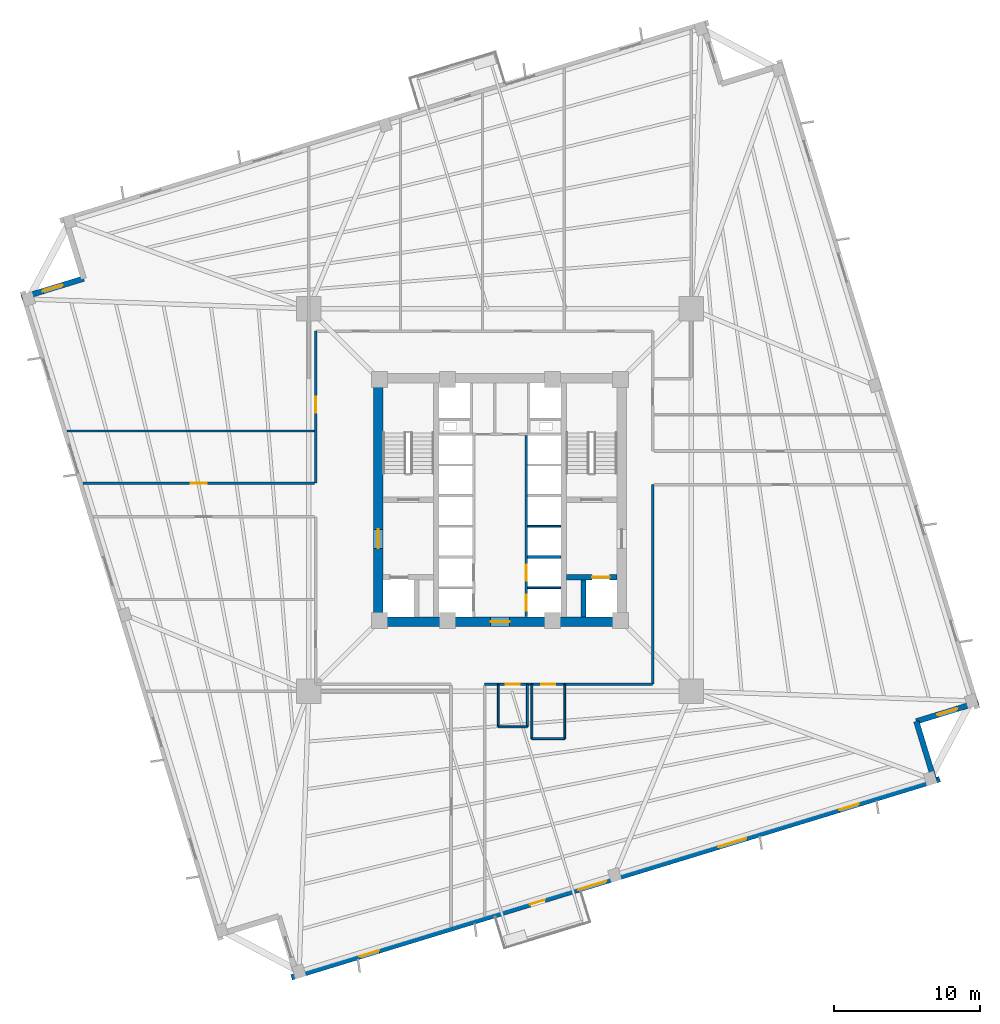
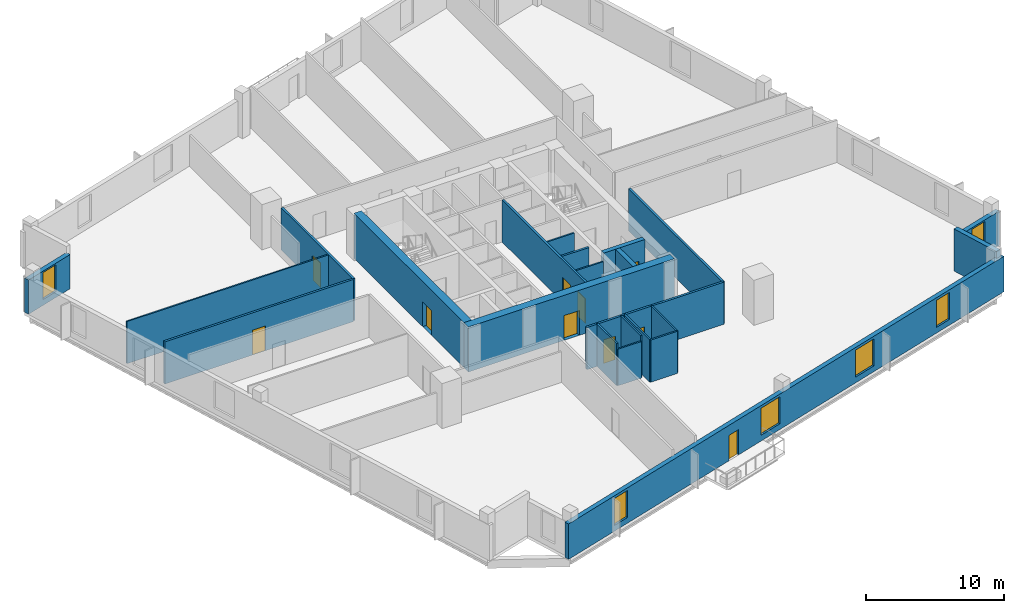
# One storey, part 3 of 8: 23 walls, 10 doors, 6 windows, 16 openings.
"""IFC4 building model written with IfcOpenShell, lengths in metres."""

from ifc_helpers import new_model, si_unit, direction, frame, frame_2d, origin, place, context, subcontext, project, spatial, rectangle, extrude, source, transform, mapped, material, layer, layer_set, type_object, element, fill, save


model = new_model("IFC4")

# Units and contexts
model_context = context("Model", 3, precision=1e-05, world=origin(), true_north=direction((0.0, 1.0)))
body_context = subcontext(model_context, "Body", "Model", "MODEL_VIEW")
ifc_project = project(units=[si_unit("LENGTHUNIT", "METRE"), si_unit("AREAUNIT", "SQUARE_METRE"), si_unit("VOLUMEUNIT", "CUBIC_METRE"), si_unit("PLANEANGLEUNIT", "RADIAN"), si_unit("MASSUNIT", "GRAM", prefix="KILO"), si_unit("THERMODYNAMICTEMPERATUREUNIT", "KELVIN")], contexts=[model_context])

# Site, building, storey
site_placement = place(None, origin())
site = spatial("IfcSite", under=ifc_project, at=site_placement, CompositionType="ELEMENT")
building_placement = place(site_placement, origin())
building = spatial("IfcBuilding", under=site, at=building_placement, Name="Kosmvard Interchange Tower", CompositionType="ELEMENT")
storey_placement = place(building_placement, frame((0.0, 0.0, 91.199951171875)))
storey = spatial("IfcBuildingStorey", under=building, at=storey_placement, Name="L21", CompositionType="ELEMENT", Elevation=91.199951171875)

# Wall, openings, doors
ifc_material_1 = material(Name="Fire-rated gypsum partition system")
ifc_layer_1 = layer(ifc_material_1, 0.179931640625, Name="Fire-rated gypsum partition system")
ifc_layer_set_1 = layer_set([ifc_layer_1], Name="Fire-rated gypsum partition system")
wall_type_1 = type_object("IfcWallType", Name="Corridor & Hotel Compartment Partition 180", PredefinedType="PARTITIONING", material=ifc_layer_set_1)
wall_1_placement = place(storey_placement, frame((1.7900390625, -7.97998046875, 0.0), z_axis=(0.0, 0.0, 1.0), x_axis=(0.0, 1.0, 0.0)))
wall_1 = element("IfcWall", 1, at=wall_1_placement, inside=storey, type_object=wall_type_1, Name="L21 East Lift Bank Front Wall", PredefinedType="PARTITIONING", context=body_context, shape_type="SweptSolid", body=[
    extrude(rectangle(XDim=12.3798828125, YDim=0.179931640625, at=frame_2d((6.18994140625, 0.0))), origin(), (0.0, 0.0, 1.0), 3.739990234375),
])
opening_1_placement = place(wall_1_placement, frame((0.39990234375, 0.0, 0.0)))
opening_1 = element("IfcOpeningElement", 2, at=opening_1_placement, cuts=wall_1, Name="Opening LD-PL-L3-L21", PredefinedType="OPENING", context=body_context, shape_type="SweptSolid", body=[
    extrude(rectangle(XDim=1.10009765625, YDim=2.199951171875, at=frame_2d((0.550048828125, 1.10009765625))), frame((0.0, 0.10009765625, 0.0), z_axis=(0.0, -1.0, 0.0), x_axis=(1.0, 0.0, 0.0)), (0.0, 0.0, 1.0), 0.199951171875),
])
opening_2_placement = place(wall_1_placement, frame((2.4599609375, 0.0, 0.0)))
opening_2 = element("IfcOpeningElement", 3, at=opening_2_placement, cuts=wall_1, Name="Opening LD-PL-L4-L21", PredefinedType="OPENING", context=body_context, shape_type="SweptSolid", body=[
    extrude(rectangle(XDim=1.10009765625, YDim=2.199951171875, at=frame_2d((0.550048828125, 1.10009765625))), frame((0.0, 0.10009765625, 0.0), z_axis=(0.0, -1.0, 0.0), x_axis=(1.0, 0.0, 0.0)), (0.0, 0.0, 1.0), 0.199951171875),
])
ifc_material_2 = material(Name="Brushed stainless steel sliding leaf", Category="steel")
door_type_1 = type_object("IfcDoorType", Name="Passenger Lift Sliding Landing Door 1100x2200 EI60", OperationType="DOUBLE_DOOR_SLIDING", PredefinedType="DOOR", material=ifc_material_2)
shared_shape_1 = source(origin(), body_context, "Body", "SweptSolid", [
    extrude(rectangle(XDim=1.10009765625, YDim=2.199951171875, at=frame_2d((0.550048828125, 1.10009765625))), frame((0.0, 0.02490234375, 0.0), z_axis=(0.0, -1.0, 0.0), x_axis=(1.0, 0.0, 0.0)), (0.0, 0.0, 1.0), 0.050048828125),
])
door_1_placement = place(opening_1_placement, origin())
door_1 = element("IfcDoor", 4, at=door_1_placement, inside=storey, type_object=door_type_1, Name="Lift PL-L3 Landing Door L21", OperationType="DOUBLE_DOOR_SLIDING", OverallHeight=2.199951171875, OverallWidth=1.10009765625, PredefinedType="DOOR", context=body_context, shape_type="MappedRepresentation", body=[
    mapped(shared_shape_1, transform((0.0, 0.0, 0.0), scale=1.0)),
])
fill(opening_1, door_1)
door_2_placement = place(opening_2_placement, origin())
door_2 = element("IfcDoor", 5, at=door_2_placement, inside=storey, type_object=door_type_1, Name="Lift PL-L4 Landing Door L21", OperationType="DOUBLE_DOOR_SLIDING", OverallHeight=2.199951171875, OverallWidth=1.10009765625, PredefinedType="DOOR", context=body_context, shape_type="MappedRepresentation", body=[
    mapped(shared_shape_1, transform((0.0, 0.0, 0.0), scale=1.0)),
])
fill(opening_2, door_2)

wall_2_placement = place(storey_placement, frame((-1.050048828125, -12.60009765625, 0.0), z_axis=(0.0, 0.0, 1.0), x_axis=(1.0, 0.0, 0.0)))
wall_2 = element("IfcWall", 6, at=wall_2_placement, inside=storey, type_object=wall_type_1, Name="L21 Corridor Wall CSE", PredefinedType="PARTITIONING", context=body_context, shape_type="SweptSolid", body=[
    extrude(rectangle(XDim=11.5, YDim=0.179931640625, at=frame_2d((5.75, 0.0))), origin(), (0.0, 0.0, 1.0), 3.739990234375),
])
opening_3_placement = place(wall_2_placement, frame((1.455078125, 0.0, 0.0)))
opening_3 = element("IfcOpeningElement", 7, at=opening_3_placement, cuts=wall_2, Name="Opening L21-D01", PredefinedType="OPENING", context=body_context, shape_type="SweptSolid", body=[
    extrude(rectangle(XDim=0.949951171875, YDim=2.10009765625, at=frame_2d((0.47509765625, 1.050048828125))), frame((0.0, 0.10009765625, 0.0), z_axis=(0.0, -1.0, 0.0), x_axis=(1.0, 0.0, 0.0)), (0.0, 0.0, 1.0), 0.199951171875),
])
opening_4_placement = place(wall_2_placement, frame((3.879150390625, 0.0, 0.0)))
opening_4 = element("IfcOpeningElement", 8, at=opening_4_placement, cuts=wall_2, Name="Opening L21-D02", PredefinedType="OPENING", context=body_context, shape_type="SweptSolid", body=[
    extrude(rectangle(XDim=0.949951171875, YDim=2.10009765625, at=frame_2d((0.47509765625, 1.050048828125))), frame((0.0, 0.10009765625, 0.0), z_axis=(0.0, -1.0, 0.0), x_axis=(1.0, 0.0, 0.0)), (0.0, 0.0, 1.0), 0.199951171875),
])
ifc_material_3 = material(Name="Laminated moisture-resistant timber", Category="wood")
door_type_2 = type_object("IfcDoorType", Name="Accessible Washroom Door 950x2100", OperationType="NOTDEFINED", PredefinedType="DOOR", material=ifc_material_3)
shared_shape_2 = source(origin(), body_context, "Body", "SweptSolid", [
    extrude(rectangle(XDim=0.949951171875, YDim=2.10009765625, at=frame_2d((0.47509765625, 1.050048828125))), frame((0.0, 0.02490234375, 0.0), z_axis=(0.0, -1.0, 0.0), x_axis=(1.0, 0.0, 0.0)), (0.0, 0.0, 1.0), 0.050048828125),
])
door_3_placement = place(opening_3_placement, frame((0.949951171875, 0.0, 0.0), z_axis=(0.0, 0.0, 1.0), x_axis=(-1.0, 0.0, 0.0)))
door_3 = element("IfcDoor", 9, at=door_3_placement, inside=storey, type_object=door_type_2, Name="L21 Accessible Toilet Door", OperationType="SINGLE_SWING_LEFT", OverallHeight=2.10009765625, OverallWidth=0.949951171875, PredefinedType="DOOR", context=body_context, shape_type="MappedRepresentation", body=[
    mapped(shared_shape_2, transform((0.0, 0.0, 0.0), scale=1.0)),
])
fill(opening_3, door_3)
door_4_placement = place(opening_4_placement, frame((0.949951171875, 0.0, 0.0), z_axis=(0.0, 0.0, 1.0), x_axis=(-1.0, 0.0, 0.0)))
door_4 = element("IfcDoor", 10, at=door_4_placement, inside=storey, type_object=door_type_2, Name="L21 Public Floor Washroom Door", OperationType="SINGLE_SWING_RIGHT", OverallHeight=2.10009765625, OverallWidth=0.949951171875, PredefinedType="DOOR", context=body_context, shape_type="MappedRepresentation", body=[
    mapped(shared_shape_2, transform((0.0, 0.0, 0.0), scale=1.0)),
])
fill(opening_4, door_4)

# Wall, opening, door
wall_3_placement = place(storey_placement, frame((-12.60009765625, 1.14990234375, 0.0), z_axis=(0.0, 0.0, 1.0), x_axis=(0.0, 1.0, 0.0)))
wall_3 = element("IfcWall", 11, at=wall_3_placement, inside=storey, type_object=wall_type_1, Name="L21 Corridor Wall CWN", PredefinedType="PARTITIONING", context=body_context, shape_type="SweptSolid", body=[
    extrude(rectangle(XDim=10.400146484375, YDim=0.179931640625, at=frame_2d((5.2001953125, 0.0))), origin(), (0.0, 0.0, 1.0), 3.739990234375),
])
opening_5_placement = place(wall_3_placement, frame((4.8125, 0.0, 0.0)))
opening_5 = element("IfcOpeningElement", 12, at=opening_5_placement, cuts=wall_3, Name="Opening L21-D04", PredefinedType="OPENING", context=body_context, shape_type="SweptSolid", body=[
    extrude(rectangle(XDim=1.10009765625, YDim=2.199951171875, at=frame_2d((0.550048828125, 1.10009765625))), frame((0.0, 0.10009765625, 0.0), z_axis=(0.0, -1.0, 0.0), x_axis=(1.0, 0.0, 0.0)), (0.0, 0.0, 1.0), 0.199951171875),
])
ifc_material_4 = material(Name="Engineered oak fire-rated timber", Category="wood")
door_type_3 = type_object("IfcDoorType", Name="Office Suite Entrance Door 1100x2200 FD30S", OperationType="NOTDEFINED", PredefinedType="DOOR", material=ifc_material_4)
door_5_placement = place(opening_5_placement, origin())
door_5 = element("IfcDoor", 13, at=door_5_placement, inside=storey, type_object=door_type_3, Name="L21 Corporate Office 2 Door", OperationType="SINGLE_SWING_RIGHT", OverallHeight=2.199951171875, OverallWidth=1.10009765625, PredefinedType="DOOR", context=body_context, shape_type="MappedRepresentation", body=[
    mapped(shared_shape_1, transform((0.0, 0.0, 0.0), scale=1.0)),
])
fill(opening_5, door_5)

# Wall
wall_4_placement = place(storey_placement, frame((10.449951171875, -12.60009765625, 0.0), z_axis=(0.0, 0.0, 1.0), x_axis=(0.0, 1.0, 0.0)))
element("IfcWall", 14, at=wall_4_placement, inside=storey, type_object=wall_type_1, Name="L21 Corridor Wall CES", PredefinedType="PARTITIONING", context=body_context, shape_type="SweptSolid", body=[
    extrude(rectangle(XDim=13.650146484375, YDim=0.179931640625, at=frame_2d((6.8251953125, 0.0))), origin(), (0.0, 0.0, 1.0), 3.739990234375),
])

# Wall, opening, door
wall_5_placement = place(storey_placement, frame((-28.517333984375, 1.14990234375, 0.0), z_axis=(0.0, 0.0, 1.0), x_axis=(1.0, 0.0, 0.0)))
wall_5 = element("IfcWall", 15, at=wall_5_placement, inside=storey, type_object=wall_type_1, Name="L21 Corridor Wall SWN", PredefinedType="PARTITIONING", context=body_context, shape_type="SweptSolid", body=[
    extrude(rectangle(XDim=15.8173828125, YDim=0.179931640625, at=frame_2d((7.90869140625, 0.0))), origin(), (0.0, 0.0, 1.0), 3.739990234375),
])
opening_6_placement = place(wall_5_placement, frame((7.358642578125, 0.0, 0.0)))
opening_6 = element("IfcOpeningElement", 16, at=opening_6_placement, cuts=wall_5, Name="Opening L21-D03", PredefinedType="OPENING", context=body_context, shape_type="SweptSolid", body=[
    extrude(rectangle(XDim=1.10009765625, YDim=2.199951171875, at=frame_2d((0.550048828125, 1.10009765625))), frame((0.0, 0.10009765625, 0.0), z_axis=(0.0, -1.0, 0.0), x_axis=(1.0, 0.0, 0.0)), (0.0, 0.0, 1.0), 0.199951171875),
])
door_6_placement = place(opening_6_placement, origin())
door_6 = element("IfcDoor", 17, at=door_6_placement, inside=storey, type_object=door_type_3, Name="L21 Corporate Office 1 Door", OperationType="SINGLE_SWING_LEFT", OverallHeight=2.199951171875, OverallWidth=1.10009765625, PredefinedType="DOOR", context=body_context, shape_type="MappedRepresentation", body=[
    mapped(shared_shape_1, transform((0.0, 0.0, 0.0), scale=1.0)),
])
fill(opening_6, door_6)

# Wall, openings, door, windows
ifc_material_5 = material(Name="Precast concrete C45/55", Category="concrete")
ifc_layer_2 = layer(ifc_material_5, 0.3798828125, Name="Precast concrete C45/55")
ifc_layer_set_2 = layer_set([ifc_layer_2], Name="Precast concrete C45/55")
wall_type_2 = type_object("IfcWallType", Name="Lower Tower Precast Pier Wall 380 C45/55", PredefinedType="STANDARD", material=ifc_layer_set_2)
wall_6_placement = place(storey_placement, frame((-14.26513671875, -32.65771484375, 0.0), z_axis=(0.0, 0.0, 1.0), x_axis=(0.956304320851, 0.292373127906, 0.0)))
wall_6 = element("IfcWall", 18, at=wall_6_placement, inside=storey, type_object=wall_type_2, Name="L21 Precast Facade Wall F-S", PredefinedType="STANDARD", context=body_context, shape_type="SweptSolid", body=[
    extrude(rectangle(XDim=46.380126953125, YDim=0.3798828125, at=frame_2d((23.18994140625, 0.0))), origin(), (0.0, 0.0, 1.0), 3.14013671875),
])
opening_7_placement = place(wall_6_placement, frame((17.06494140625, 0.0, 0.0)))
opening_7 = element("IfcOpeningElement", 19, at=opening_7_placement, cuts=wall_6, Name="Opening L21-BDS", PredefinedType="OPENING", context=body_context, shape_type="SweptSolid", body=[
    extrude(rectangle(XDim=1.050048828125, YDim=2.25, at=frame_2d((0.52490234375, 1.125))), frame((0.0, 0.199951171875, 0.0), z_axis=(0.0, -1.0, 0.0), x_axis=(1.0, 0.0, 0.0)), (0.0, 0.0, 1.0), 0.39990234375),
])
opening_8_placement = place(wall_6_placement, frame((4.865478515625, 0.0, 0.510009765625)))
opening_8 = element("IfcOpeningElement", 20, at=opening_8_placement, cuts=wall_6, Name="Opening L21-W01", PredefinedType="OPENING", context=body_context, shape_type="SweptSolid", body=[
    extrude(rectangle(XDim=1.39990234375, YDim=2.39990234375, at=frame_2d((0.699951171875, 1.199951171875))), frame((0.0, 0.199951171875, 0.0), z_axis=(0.0, -1.0, 0.0), x_axis=(1.0, 0.0, 0.0)), (0.0, 0.0, 1.0), 0.39990234375),
])
opening_9_placement = place(wall_6_placement, frame((20.512451171875, 0.0, 0.510009765625)))
opening_9 = element("IfcOpeningElement", 21, at=opening_9_placement, cuts=wall_6, Name="Opening L21-W02", PredefinedType="OPENING", context=body_context, shape_type="SweptSolid", body=[
    extrude(rectangle(XDim=2.0, YDim=2.39990234375, at=frame_2d((1.0, 1.199951171875))), frame((0.0, 0.199951171875, 0.0), z_axis=(0.0, -1.0, 0.0), x_axis=(1.0, 0.0, 0.0)), (0.0, 0.0, 1.0), 0.39990234375),
])
opening_10_placement = place(wall_6_placement, frame((30.538330078125, 0.0, 0.510009765625)))
opening_10 = element("IfcOpeningElement", 22, at=opening_10_placement, cuts=wall_6, Name="Opening L21-W03", PredefinedType="OPENING", context=body_context, shape_type="SweptSolid", body=[
    extrude(rectangle(XDim=2.0, YDim=2.39990234375, at=frame_2d((1.0, 1.199951171875))), frame((0.0, 0.199951171875, 0.0), z_axis=(0.0, -1.0, 0.0), x_axis=(1.0, 0.0, 0.0)), (0.0, 0.0, 1.0), 0.39990234375),
])
opening_11_placement = place(wall_6_placement, frame((39.186767578125, 0.0, 0.510009765625)))
opening_11 = element("IfcOpeningElement", 23, at=opening_11_placement, cuts=wall_6, Name="Opening L21-W04", PredefinedType="OPENING", context=body_context, shape_type="SweptSolid", body=[
    extrude(rectangle(XDim=1.39990234375, YDim=2.39990234375, at=frame_2d((0.699951171875, 1.199951171875))), frame((0.0, 0.199951171875, 0.0), z_axis=(0.0, -1.0, 0.0), x_axis=(1.0, 0.0, 0.0)), (0.0, 0.0, 1.0), 0.39990234375),
])
ifc_material_6 = material(Name="Anodised aluminium and safety glass", Category="aluminium")
door_type_4 = type_object("IfcDoorType", Name="Tree-Balcony Glazed Door 1050x2250", OperationType="NOTDEFINED", PredefinedType="DOOR", material=ifc_material_6)
shared_shape_3 = source(origin(), body_context, "Body", "SweptSolid", [
    extrude(rectangle(XDim=1.050048828125, YDim=2.25, at=frame_2d((0.52490234375, 1.125))), frame((0.0, 0.02490234375, 0.0), z_axis=(0.0, -1.0, 0.0), x_axis=(1.0, 0.0, 0.0)), (0.0, 0.0, 1.0), 0.050048828125),
])
door_7_placement = place(opening_7_placement, origin())
door_7 = element("IfcDoor", 24, at=door_7_placement, inside=storey, type_object=door_type_4, Name="L21 Tree-Balcony Door BAL-L21-S", OperationType="SINGLE_SWING_RIGHT", OverallHeight=2.25, OverallWidth=1.050048828125, PredefinedType="DOOR", context=body_context, shape_type="MappedRepresentation", body=[
    mapped(shared_shape_3, transform((0.0, 0.0, 0.0), scale=1.0)),
])
fill(opening_7, door_7)
ifc_material_7 = material(Name="Low-E solar-control double glazing", Category="glass")
window_type_1 = type_object("IfcWindowType", Name="Notched Corner Feature Window 1400x2400", PartitioningType="SINGLE_PANEL", PredefinedType="WINDOW", material=ifc_material_7)
shared_shape_4 = source(origin(), body_context, "Body", "SweptSolid", [
    extrude(rectangle(XDim=1.39990234375, YDim=2.39990234375, at=frame_2d((0.699951171875, 1.199951171875))), frame((0.0, 0.030029296875, 0.0), z_axis=(0.0, -1.0, 0.0), x_axis=(1.0, 0.0, 0.0)), (0.0, 0.0, 1.0), 0.06005859375),
])
window_1_placement = place(opening_8_placement, origin())
window_1 = element("IfcWindow", 25, at=window_1_placement, inside=storey, type_object=window_type_1, Name="L21 Facade Punched Window 01", OverallHeight=2.39990234375, OverallWidth=1.39990234375, PartitioningType="SINGLE_PANEL", PredefinedType="WINDOW", context=body_context, shape_type="MappedRepresentation", body=[
    mapped(shared_shape_4, transform((0.0, 0.0, 0.0), scale=1.0)),
])
fill(opening_8, window_1)
window_2_placement = place(opening_11_placement, origin())
window_2 = element("IfcWindow", 26, at=window_2_placement, inside=storey, type_object=window_type_1, Name="L21 Facade Punched Window 04", OverallHeight=2.39990234375, OverallWidth=1.39990234375, PartitioningType="SINGLE_PANEL", PredefinedType="WINDOW", context=body_context, shape_type="MappedRepresentation", body=[
    mapped(shared_shape_4, transform((0.0, 0.0, 0.0), scale=1.0)),
])
fill(opening_11, window_2)
window_type_2 = type_object("IfcWindowType", Name="Zone 2 Office Punched Window 2000x2400", PartitioningType="SINGLE_PANEL", PredefinedType="WINDOW", material=ifc_material_7)
shared_shape_5 = source(origin(), body_context, "Body", "SweptSolid", [
    extrude(rectangle(XDim=2.0, YDim=2.39990234375, at=frame_2d((1.0, 1.199951171875))), frame((0.0, 0.030029296875, 0.0), z_axis=(0.0, -1.0, 0.0), x_axis=(1.0, 0.0, 0.0)), (0.0, 0.0, 1.0), 0.06005859375),
])
window_3_placement = place(opening_9_placement, origin())
window_3 = element("IfcWindow", 27, at=window_3_placement, inside=storey, type_object=window_type_2, Name="L21 Facade Punched Window 02", OverallHeight=2.39990234375, OverallWidth=2.0, PartitioningType="SINGLE_PANEL", PredefinedType="WINDOW", context=body_context, shape_type="MappedRepresentation", body=[
    mapped(shared_shape_5, transform((0.0, 0.0, 0.0), scale=1.0)),
])
fill(opening_9, window_3)
window_4_placement = place(opening_10_placement, origin())
window_4 = element("IfcWindow", 28, at=window_4_placement, inside=storey, type_object=window_type_2, Name="L21 Facade Punched Window 03", OverallHeight=2.39990234375, OverallWidth=2.0, PartitioningType="SINGLE_PANEL", PredefinedType="WINDOW", context=body_context, shape_type="MappedRepresentation", body=[
    mapped(shared_shape_5, transform((0.0, 0.0, 0.0), scale=1.0)),
])
fill(opening_10, window_4)

# Wall
wall_7_placement = place(storey_placement, frame((29.724853515625, -19.20849609375, 0.0), z_axis=(0.0, 0.0, 1.0), x_axis=(-0.292345507338, 0.956312764915, 0.0)))
element("IfcWall", 29, at=wall_7_placement, inside=storey, type_object=wall_type_2, Name="L21 Precast Facade Wall N-SE1", PredefinedType="STANDARD", context=body_context, shape_type="SweptSolid", body=[
    extrude(rectangle(XDim=4.249755859375, YDim=0.3798828125, at=frame_2d((2.125, 0.0))), origin(), (0.0, 0.0, 1.0), 3.739990234375),
])

# Wall, opening, window
wall_8_placement = place(storey_placement, frame((28.482421875, -15.144287109375, 0.0), z_axis=(0.0, 0.0, 1.0), x_axis=(0.956304176051, 0.292373601522, 0.0)))
wall_8 = element("IfcWall", 30, at=wall_8_placement, inside=storey, type_object=wall_type_2, Name="L21 Precast Facade Wall N-SE2", PredefinedType="STANDARD", context=body_context, shape_type="SweptSolid", body=[
    extrude(rectangle(XDim=4.43994140625, YDim=0.3798828125, at=frame_2d((2.219970703125, 0.0))), origin(), (0.0, 0.0, 1.0), 3.0400390625),
])
opening_12_placement = place(wall_8_placement, frame((1.52001953125, 0.0, 0.510009765625)))
opening_12 = element("IfcOpeningElement", 31, at=opening_12_placement, cuts=wall_8, Name="Opening L21-W18", PredefinedType="OPENING", context=body_context, shape_type="SweptSolid", body=[
    extrude(rectangle(XDim=1.39990234375, YDim=2.39990234375, at=frame_2d((0.699951171875, 1.199951171875))), frame((0.0, 0.199951171875, 0.0), z_axis=(0.0, -1.0, 0.0), x_axis=(1.0, 0.0, 0.0)), (0.0, 0.0, 1.0), 0.39990234375),
])
window_5_placement = place(opening_12_placement, origin())
window_5 = element("IfcWindow", 32, at=window_5_placement, inside=storey, type_object=window_type_1, Name="L21 Corner Notch Window 18", OverallHeight=2.39990234375, OverallWidth=1.39990234375, PartitioningType="SINGLE_PANEL", PredefinedType="WINDOW", context=body_context, shape_type="MappedRepresentation", body=[
    mapped(shared_shape_4, transform((0.0, 0.0, 0.0), scale=1.0)),
])
fill(opening_12, window_5)

wall_9_placement = place(storey_placement, frame((-28.482421875, 15.144287109375, 0.0), z_axis=(0.0, 0.0, 1.0), x_axis=(-0.956304176051, -0.292373601522, 0.0)))
wall_9 = element("IfcWall", 33, at=wall_9_placement, inside=storey, type_object=wall_type_2, Name="L21 Precast Facade Wall N-NW2", PredefinedType="STANDARD", context=body_context, shape_type="SweptSolid", body=[
    extrude(rectangle(XDim=4.43994140625, YDim=0.3798828125, at=frame_2d((2.219970703125, 0.0))), origin(), (0.0, 0.0, 1.0), 3.0400390625),
])
opening_13_placement = place(wall_9_placement, frame((1.52001953125, 0.0, 0.510009765625)))
opening_13 = element("IfcOpeningElement", 34, at=opening_13_placement, cuts=wall_9, Name="Opening L21-W20", PredefinedType="OPENING", context=body_context, shape_type="SweptSolid", body=[
    extrude(rectangle(XDim=1.39990234375, YDim=2.39990234375, at=frame_2d((0.699951171875, 1.199951171875))), frame((0.0, 0.199951171875, 0.0), z_axis=(0.0, -1.0, 0.0), x_axis=(1.0, 0.0, 0.0)), (0.0, 0.0, 1.0), 0.39990234375),
])
window_6_placement = place(opening_13_placement, origin())
window_6 = element("IfcWindow", 35, at=window_6_placement, inside=storey, type_object=window_type_1, Name="L21 Corner Notch Window 20", OverallHeight=2.39990234375, OverallWidth=1.39990234375, PartitioningType="SINGLE_PANEL", PredefinedType="WINDOW", context=body_context, shape_type="MappedRepresentation", body=[
    mapped(shared_shape_4, transform((0.0, 0.0, 0.0), scale=1.0)),
])
fill(opening_13, window_6)

# Wall, opening, door
ifc_material_8 = material(Name="Concrete C70/85", Category="concrete")
ifc_layer_3 = layer(ifc_material_8, 0.64990234375, Name="Concrete C70/85")
ifc_layer_set_3 = layer_set([ifc_layer_3], Name="Concrete C70/85")
wall_type_3 = type_object("IfcWallType", Name="Mid Core Shear Wall 650 C70/85", PredefinedType="SHEAR", material=ifc_layer_set_3)
wall_10_placement = place(storey_placement, frame((-8.64990234375, -8.324951171875, 0.0), z_axis=(0.0, 0.0, 1.0), x_axis=(1.0, 0.0, 0.0)))
wall_10 = element("IfcWall", 36, at=wall_10_placement, inside=storey, type_object=wall_type_3, Name="L21 Core Shear Wall CW-S", PredefinedType="SHEAR", context=body_context, shape_type="SweptSolid", body=[
    extrude(rectangle(XDim=17.2998046875, YDim=0.64990234375, at=frame_2d((8.64990234375, 0.0))), origin(), (0.0, 0.0, 1.0), 4.0),
])
opening_14_placement = place(wall_10_placement, frame((8.0, 0.0, 0.0)))
opening_14 = element("IfcOpeningElement", 37, at=opening_14_placement, cuts=wall_10, Name="Opening L21-LD0", PredefinedType="OPENING", context=body_context, shape_type="SweptSolid", body=[
    extrude(rectangle(XDim=1.300048828125, YDim=2.199951171875, at=frame_2d((0.64990234375, 1.10009765625))), frame((0.0, 0.3349609375, 0.0), z_axis=(0.0, -1.0, 0.0), x_axis=(1.0, 0.0, 0.0)), (0.0, 0.0, 1.0), 0.669921875),
])
ifc_material_9 = material(Name="Painted fire-rated steel leaf", Category="steel")
door_type_5 = type_object("IfcDoorType", Name="Firefighting Lobby Door 1300x2200 EI60", OperationType="NOTDEFINED", PredefinedType="DOOR", material=ifc_material_9)
shared_shape_6 = source(origin(), body_context, "Body", "SweptSolid", [
    extrude(rectangle(XDim=1.300048828125, YDim=2.199951171875, at=frame_2d((0.64990234375, 1.10009765625))), frame((0.0, 0.02490234375, 0.0), z_axis=(0.0, -1.0, 0.0), x_axis=(1.0, 0.0, 0.0)), (0.0, 0.0, 1.0), 0.050048828125),
])
door_8_placement = place(opening_14_placement, frame((1.300048828125, 0.0, 0.0), z_axis=(0.0, 0.0, 1.0), x_axis=(-1.0, 0.0, 0.0)))
door_8 = element("IfcDoor", 38, at=door_8_placement, inside=storey, type_object=door_type_5, Name="L21 Passenger Lift Lobby South Door", OperationType="SINGLE_SWING_LEFT", OverallHeight=2.199951171875, OverallWidth=1.300048828125, PredefinedType="DOOR", context=body_context, shape_type="MappedRepresentation", body=[
    mapped(shared_shape_6, transform((0.0, 0.0, 0.0), scale=1.0)),
])
fill(opening_14, door_8)

wall_11_placement = place(storey_placement, frame((-8.324951171875, -8.0, 0.0), z_axis=(0.0, 0.0, 1.0), x_axis=(0.0, 1.0, 0.0)))
wall_11 = element("IfcWall", 39, at=wall_11_placement, inside=storey, type_object=wall_type_3, Name="L21 Core Shear Wall CW-W", PredefinedType="SHEAR", context=body_context, shape_type="SweptSolid", body=[
    extrude(rectangle(XDim=16.0, YDim=0.64990234375, at=frame_2d((8.0, 0.0))), origin(), (0.0, 0.0, 1.0), 4.0),
])
opening_15_placement = place(wall_11_placement, frame((4.68994140625, 0.0, 0.0)))
opening_15 = element("IfcOpeningElement", 40, at=opening_15_placement, cuts=wall_11, Name="Opening L21-FD1", PredefinedType="OPENING", context=body_context, shape_type="SweptSolid", body=[
    extrude(rectangle(XDim=1.300048828125, YDim=2.199951171875, at=frame_2d((0.64990234375, 1.10009765625))), frame((0.0, 0.3349609375, 0.0), z_axis=(0.0, -1.0, 0.0), x_axis=(1.0, 0.0, 0.0)), (0.0, 0.0, 1.0), 0.669921875),
])
door_9_placement = place(opening_15_placement, frame((1.300048828125, 0.0, 0.0), z_axis=(0.0, 0.0, 1.0), x_axis=(-1.0, 0.0, 0.0)))
door_9 = element("IfcDoor", 41, at=door_9_placement, inside=storey, type_object=door_type_5, Name="L21 Firefighting Lobby West Door", OperationType="SINGLE_SWING_LEFT", OverallHeight=2.199951171875, OverallWidth=1.300048828125, PredefinedType="DOOR", context=body_context, shape_type="MappedRepresentation", body=[
    mapped(shared_shape_6, transform((0.0, 0.0, 0.0), scale=1.0)),
])
fill(opening_15, door_9)

# Walls
ifc_material_10 = material(Name="Gypsum board partition system")
ifc_layer_4 = layer(ifc_material_10, 0.1201171875, Name="Gypsum board partition system")
ifc_layer_set_4 = layer_set([ifc_layer_4], Name="Gypsum board partition system")
wall_type_4 = type_object("IfcWallType", Name="Office Cellular Partition 120", PredefinedType="PARTITIONING", material=ifc_layer_set_4)
wall_12_placement = place(storey_placement, frame((-29.6103515625, 4.72509765625, 0.0), z_axis=(0.0, 0.0, 1.0), x_axis=(1.0, 0.0, 0.0)))
element("IfcWall", 42, at=wall_12_placement, inside=storey, type_object=wall_type_4, Name="L21 Room Partition 08.1", PredefinedType="PARTITIONING", context=body_context, shape_type="SweptSolid", body=[
    extrude(rectangle(XDim=16.915283203125, YDim=0.1201171875, at=frame_2d((8.45751953125, 0.0))), origin(), (0.0, 0.0, 1.0), 3.739990234375),
])
ifc_material_11 = material(Name="Concrete blockwork masonry", Category="masonry")
ifc_layer_5 = layer(ifc_material_11, 0.179931640625, Name="Concrete blockwork masonry")
ifc_layer_set_5 = layer_set([ifc_layer_5], Name="Concrete blockwork masonry")
wall_type_5 = type_object("IfcWallType", Name="Riser & Lift Bank Divider Wall 180", PredefinedType="PARTITIONING", material=ifc_layer_set_5)
wall_13_placement = place(storey_placement, frame((1.889892578125, -3.89990234375, 0.0), z_axis=(0.0, 0.0, 1.0), x_axis=(1.0, 0.0, 0.0)))
element("IfcWall", 43, at=wall_13_placement, inside=storey, type_object=wall_type_5, Name="L21 East Bank Divider BD1", PredefinedType="PARTITIONING", context=body_context, shape_type="SweptSolid", body=[
    extrude(rectangle(XDim=2.280029296875, YDim=0.179931640625, at=frame_2d((1.14013671875, 0.0))), origin(), (0.0, 0.0, 1.0), 3.739990234375),
])
ifc_material_12 = material(Name="Fire-rated gypsum shaftwall system")
ifc_layer_6 = layer(ifc_material_12, 0.1201171875, Name="Fire-rated gypsum shaftwall system")
ifc_layer_set_6 = layer_set([ifc_layer_6], Name="Fire-rated gypsum shaftwall system")
wall_type_6 = type_object("IfcWallType", Name="Shaft & Riser Fire Partition 120 EI60", PredefinedType="PARTITIONING", material=ifc_layer_set_6)
for number, where, z_axis, x_axis, name in (
    (44, (1.89990234375, -6.0, 0.0), (0.0, 0.0, 1.0), (1.0, 0.0, 0.0), "L21 Shaft Divider PL-L3"),
    (45, (1.89990234375, -1.800048828125, 0.0), (0.0, 0.0, 1.0), (1.0, 0.0, 0.0), "L21 Shaft Divider PL-M3"),
):
    element("IfcWall", number, at=place(storey_placement, frame(where, z_axis=z_axis, x_axis=x_axis)), inside=storey, type_object=wall_type_6, Name=name, PredefinedType="PARTITIONING", context=body_context, shape_type="SweptSolid", body=[
        extrude(rectangle(XDim=2.260009765625, YDim=0.1201171875, at=frame_2d((1.1298828125, 0.0))), origin(), (0.0, 0.0, 1.0), 3.739990234375),
    ])

# Wall, opening, door
ifc_material_13 = material(Name="Concrete C60/75", Category="concrete")
ifc_layer_7 = layer(ifc_material_13, 0.360107421875, Name="Concrete C60/75")
ifc_layer_set_7 = layer_set([ifc_layer_7], Name="Concrete C60/75")
wall_type_7 = type_object("IfcWallType", Name="Stair & Lift Shaft Shear Wall 360 C60/75", PredefinedType="SHEAR", material=ifc_layer_set_7)
wall_14_placement = place(storey_placement, frame((4.5400390625, -5.280029296875, 0.0), z_axis=(0.0, 0.0, 1.0), x_axis=(1.0, 0.0, 0.0)))
wall_14 = element("IfcWall", 46, at=wall_14_placement, inside=storey, type_object=wall_type_7, Name="L21 Shaft Shear Wall SW-FF2", PredefinedType="SHEAR", context=body_context, shape_type="SweptSolid", body=[
    extrude(rectangle(XDim=3.4599609375, YDim=0.360107421875, at=frame_2d((1.72998046875, 0.0))), origin(), (0.0, 0.0, 1.0), 4.0),
])
opening_16_placement = place(wall_14_placement, frame((1.760009765625, 0.0, 0.0)))
opening_16 = element("IfcOpeningElement", 47, at=opening_16_placement, cuts=wall_14, Name="Opening LD-FF-2-L21", PredefinedType="OPENING", context=body_context, shape_type="SweptSolid", body=[
    extrude(rectangle(XDim=1.199951171875, YDim=2.25, at=frame_2d((0.60009765625, 1.125))), frame((0.0, 0.18994140625, 0.0), z_axis=(0.0, -1.0, 0.0), x_axis=(1.0, 0.0, 0.0)), (0.0, 0.0, 1.0), 0.380126953125),
])
door_type_6 = type_object("IfcDoorType", Name="Firefighting Lift Sliding Landing Door 1200x2250 EI120", OperationType="DOUBLE_DOOR_SLIDING", PredefinedType="DOOR", material=ifc_material_2)
shared_shape_7 = source(origin(), body_context, "Body", "SweptSolid", [
    extrude(rectangle(XDim=1.199951171875, YDim=2.25, at=frame_2d((0.60009765625, 1.125))), frame((0.0, 0.02490234375, 0.0), z_axis=(0.0, -1.0, 0.0), x_axis=(1.0, 0.0, 0.0)), (0.0, 0.0, 1.0), 0.050048828125),
])
door_10_placement = place(opening_16_placement, origin())
door_10 = element("IfcDoor", 48, at=door_10_placement, inside=storey, type_object=door_type_6, Name="Lift FF-2 Landing Door L21", OperationType="DOUBLE_DOOR_SLIDING", OverallHeight=2.25, OverallWidth=1.199951171875, PredefinedType="DOOR", context=body_context, shape_type="MappedRepresentation", body=[
    mapped(shared_shape_7, transform((0.0, 0.0, 0.0), scale=1.0)),
])
fill(opening_16, door_10)

# Walls
wall_15_placement = place(storey_placement, frame((5.7099609375, -8.0, 0.0), z_axis=(0.0, 0.0, 1.0), x_axis=(0.0, 1.0, 0.0)))
element("IfcWall", 49, at=wall_15_placement, inside=storey, type_object=wall_type_7, Name="L21 Shaft Shear Wall SW-SM2", PredefinedType="SHEAR", context=body_context, shape_type="SweptSolid", body=[
    extrude(rectangle(XDim=2.5400390625, YDim=0.360107421875, at=frame_2d((1.27001953125, 0.0))), origin(), (0.0, 0.0, 1.0), 4.0),
])
ifc_material_14 = material(Name="Moisture-resistant gypsum partition")
ifc_layer_8 = layer(ifc_material_14, 0.135009765625, Name="Moisture-resistant gypsum partition")
ifc_layer_set_8 = layer_set([ifc_layer_8], Name="Moisture-resistant gypsum partition")
wall_type_8 = type_object("IfcWallType", Name="Wet Room Moisture-Resistant Partition 135", PredefinedType="PARTITIONING", material=ifc_layer_set_8)
wall_16_placement = place(storey_placement, frame((-0.1201171875, -15.52001953125, 0.0), z_axis=(0.0, 0.0, 1.0), x_axis=(1.0, 0.0, 0.0)))
element("IfcWall", 50, at=wall_16_placement, inside=storey, type_object=wall_type_8, Name="L21 Washroom Partition AWC1-S", PredefinedType="PARTITIONING", context=body_context, shape_type="SweptSolid", body=[
    extrude(rectangle(XDim=2.0, YDim=0.135009765625, at=frame_2d((1.0, 0.0))), origin(), (0.0, 0.0, 1.0), 3.239990234375),
])
for number, where, z_axis, x_axis, name in (
    (51, (1.8798828125, -15.52001953125, 0.0), (0.0, 0.0, 1.0), (0.0, 1.0, 0.0), "L21 Washroom Partition AWC1-E"),
    (52, (-0.1201171875, -15.52001953125, 0.0), (0.0, 0.0, 1.0), (0.0, 1.0, 0.0), "L21 Washroom Partition AWC1-W"),
):
    element("IfcWall", number, at=place(storey_placement, frame(where, z_axis=z_axis, x_axis=x_axis)), inside=storey, type_object=wall_type_8, Name=name, PredefinedType="PARTITIONING", context=body_context, shape_type="SweptSolid", body=[
        extrude(rectangle(XDim=2.89990234375, YDim=0.135009765625, at=frame_2d((1.449951171875, 0.0))), origin(), (0.0, 0.0, 1.0), 3.739990234375),
    ])
wall_17_placement = place(storey_placement, frame((2.17919921875, -16.320068359375, 0.0), z_axis=(0.0, 0.0, 1.0), x_axis=(1.0, 0.0, 0.0)))
element("IfcWall", 53, at=wall_17_placement, inside=storey, type_object=wall_type_8, Name="L21 Washroom Partition WC1-S", PredefinedType="PARTITIONING", context=body_context, shape_type="SweptSolid", body=[
    extrude(rectangle(XDim=2.25, YDim=0.135009765625, at=frame_2d((1.125, 0.0))), origin(), (0.0, 0.0, 1.0), 3.739990234375),
])
for number, where, z_axis, x_axis, name in (
    (54, (4.42919921875, -16.320068359375, 0.0), (0.0, 0.0, 1.0), (0.0, 1.0, 0.0), "L21 Washroom Partition WC1-E"),
    (55, (2.17919921875, -16.320068359375, 0.0), (0.0, 0.0, 1.0), (0.0, 1.0, 0.0), "L21 Washroom Partition WC1-W"),
):
    element("IfcWall", number, at=place(storey_placement, frame(where, z_axis=z_axis, x_axis=x_axis)), inside=storey, type_object=wall_type_8, Name=name, PredefinedType="PARTITIONING", context=body_context, shape_type="SweptSolid", body=[
        extrude(rectangle(XDim=3.699951171875, YDim=0.135009765625, at=frame_2d((1.85009765625, 0.0))), origin(), (0.0, 0.0, 1.0), 3.739990234375),
    ])

save(model, "model.ifc")
